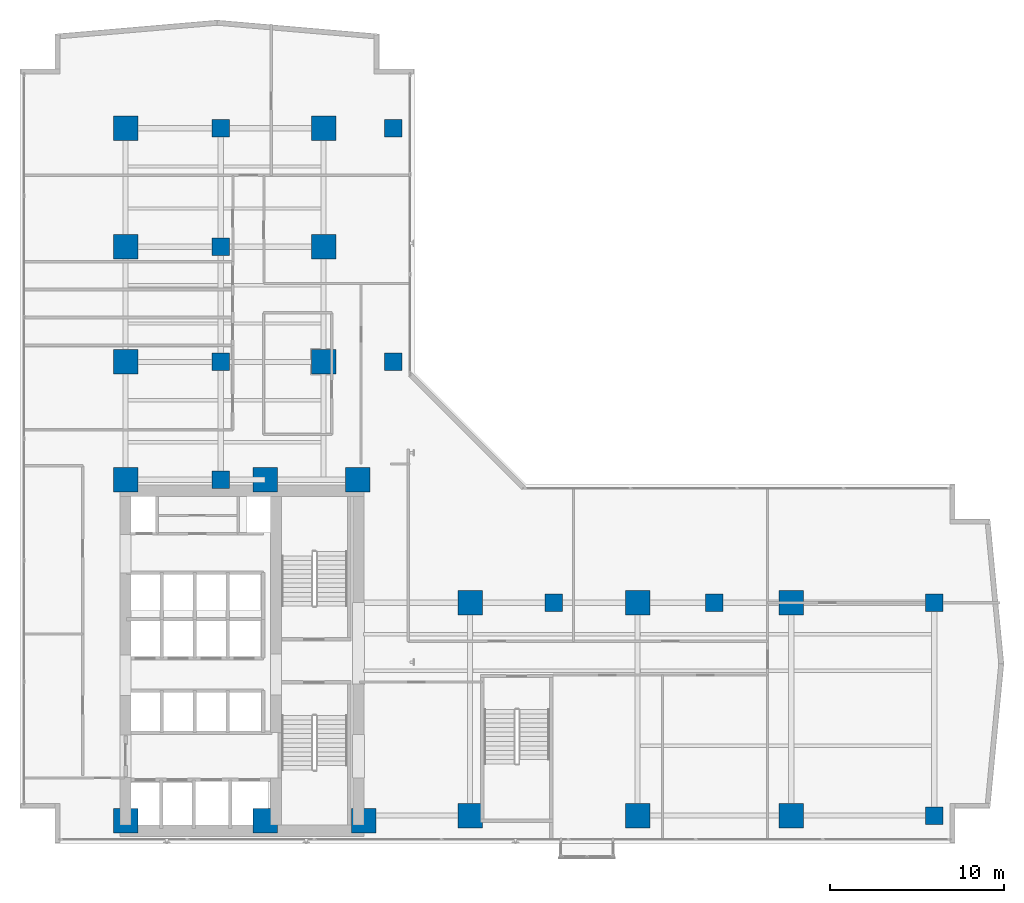
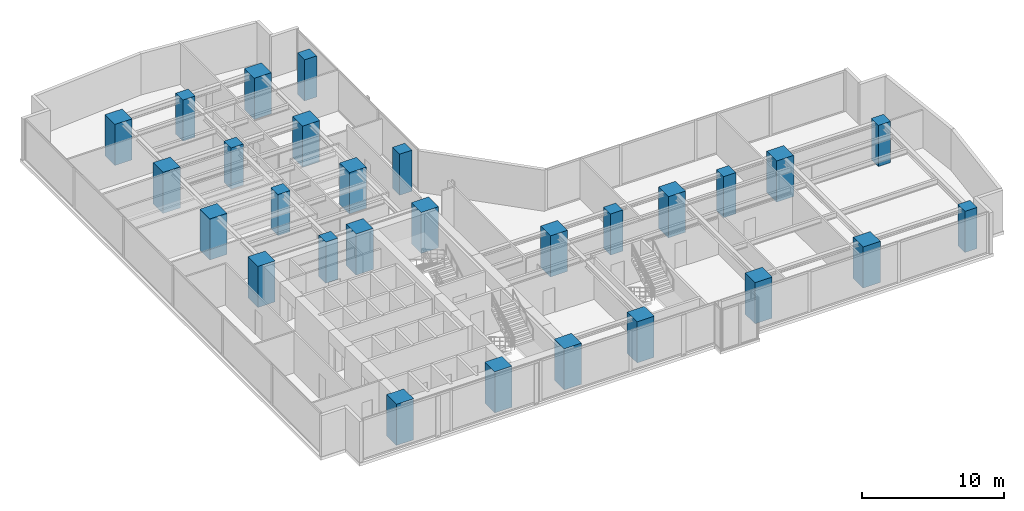
# One storey, part 1 of 28: 28 columns.
"""IFC4 building model written with IfcOpenShell, lengths in metres."""

from ifc_helpers import new_model, si_unit, direction, frame, origin, origin_2d, place, context, subcontext, project, spatial, rectangle, extrude, material, material_profile, profile_set, type_object, element, save


model = new_model("IFC4")

# Units and contexts
model_context = context("Model", 3, precision=1e-05, world=origin(), true_north=direction((0.0, 1.0)))
body_context = subcontext(model_context, "Body", "Model", "MODEL_VIEW")
ifc_project = project(units=[si_unit("LENGTHUNIT", "METRE"), si_unit("AREAUNIT", "SQUARE_METRE"), si_unit("VOLUMEUNIT", "CUBIC_METRE"), si_unit("PLANEANGLEUNIT", "RADIAN"), si_unit("MASSUNIT", "GRAM", prefix="KILO")], contexts=[model_context])

# Site, building, storey
site_placement = place(None, origin())
site = spatial("IfcSite", under=ifc_project, at=site_placement, CompositionType="ELEMENT")
building_placement = place(site_placement, origin())
building = spatial("IfcBuilding", under=site, at=building_placement, Name="Kolvaren Waterfront Exchange", CompositionType="ELEMENT")
storey_placement = place(building_placement, frame((0.0, 0.0, 114.5)))
storey = spatial("IfcBuildingStorey", under=building, at=storey_placement, Name="L29", CompositionType="ELEMENT", Elevation=114.5)

# Columns
ifc_material = material(Name="Concrete C60/75", Category="concrete")
ifc_material_profile_1 = material_profile(ifc_material, rectangle(XDim=1.0, YDim=1.0, at=origin_2d()), Name="RC-COL-1000x1000")
ifc_profile_set_1 = profile_set([ifc_material_profile_1], Name="Concrete C60/75")
column_type_1 = type_object("IfcColumnType", Name="STR-COL-1000-C60", PredefinedType="COLUMN", material=ifc_profile_set_1)
for number, where, z_axis, x_axis, name in (
    (1, (53.800048828125, 5.199951171875, 0.0), (0.0, 0.0, 1.0), (1.0, 0.0, 0.0), "L29 column ZC01"),
    (2, (53.800048828125, 17.39990234375, 0.0), (0.0, 0.0, 1.0), (1.0, 0.0, 0.0), "L29 column ZC02"),
    (3, (22.800048828125, 31.199951171875, 0.0), (0.0, 0.0, 1.0), (1.0, 0.0, 0.0), "L29 column ZC05"),
    (4, (22.800048828125, 44.60009765625, 0.0), (0.0, 0.0, 1.0), (1.0, 0.0, 0.0), "L29 column ZC06"),
    (5, (12.89990234375, 24.449951171875, 0.0), (0.0, 0.0, 1.0), (1.0, 0.0, 0.0), "L29 column TC01"),
    (6, (12.89990234375, 31.199951171875, 0.0), (0.0, 0.0, 1.0), (1.0, 0.0, 0.0), "L29 column TC02"),
    (7, (12.89990234375, 37.800048828125, 0.0), (0.0, 0.0, 1.0), (1.0, 0.0, 0.0), "L29 column TC03"),
    (8, (12.89990234375, 44.60009765625, 0.0), (0.0, 0.0, 1.0), (1.0, 0.0, 0.0), "L29 column TC04"),
    (9, (32.0, 17.39990234375, 0.0), (0.0, 0.0, 1.0), (1.0, 0.0, 0.0), "L29 column TC05"),
    (10, (41.199951171875, 17.39990234375, 0.0), (0.0, 0.0, 1.0), (1.0, 0.0, 0.0), "L29 column TC06"),
):
    element("IfcColumn", number, at=place(storey_placement, frame(where, z_axis=z_axis, x_axis=x_axis)), inside=storey, type_object=column_type_1, Name=name, PredefinedType="COLUMN", context=body_context, shape_type="SweptSolid", body=[
        extrude(rectangle(XDim=1.0, YDim=1.0, at=origin_2d()), origin(), (0.0, 0.0, 1.0), 3.5400390625),
    ])
ifc_material_profile_2 = material_profile(ifc_material, rectangle(XDim=1.39990234375, YDim=1.39990234375, at=origin_2d()), Name="RC-COL-1400x1400")
ifc_profile_set_2 = profile_set([ifc_material_profile_2], Name="Concrete C60/75")
column_type_2 = type_object("IfcColumnType", Name="STR-COL-1400-C60", PredefinedType="COLUMN", material=ifc_profile_set_2)
for number, where, z_axis, x_axis, name in (
    (11, (7.449951171875, 4.89990234375, 0.0), (0.0, 0.0, 1.0), (1.0, 0.0, 0.0), "L29 column MC01"),
    (12, (15.449951171875, 4.89990234375, 0.0), (0.0, 0.0, 1.0), (1.0, 0.0, 0.0), "L29 column MC02"),
    (13, (21.10009765625, 4.89990234375, 0.0), (0.0, 0.0, 1.0), (1.0, 0.0, 0.0), "L29 column MC03"),
    (14, (7.449951171875, 24.449951171875, 0.0), (0.0, 0.0, 1.0), (1.0, 0.0, 0.0), "L29 column MC04"),
    (15, (15.449951171875, 24.449951171875, 0.0), (0.0, 0.0, 1.0), (1.0, 0.0, 0.0), "L29 column MC05"),
    (16, (20.75, 24.449951171875, 0.0), (0.0, 0.0, 1.0), (1.0, 0.0, 0.0), "L29 column MC06"),
    (17, (7.449951171875, 31.199951171875, 0.0), (0.0, 0.0, 1.0), (1.0, 0.0, 0.0), "L29 column NC01"),
    (18, (7.449951171875, 37.800048828125, 0.0), (0.0, 0.0, 1.0), (1.0, 0.0, 0.0), "L29 column NC02"),
    (19, (7.449951171875, 44.60009765625, 0.0), (0.0, 0.0, 1.0), (1.0, 0.0, 0.0), "L29 column NC03"),
    (20, (18.800048828125, 31.199951171875, 0.0), (0.0, 0.0, 1.0), (1.0, 0.0, 0.0), "L29 column NC04"),
    (21, (18.800048828125, 37.800048828125, 0.0), (0.0, 0.0, 1.0), (1.0, 0.0, 0.0), "L29 column NC05"),
    (22, (18.800048828125, 44.60009765625, 0.0), (0.0, 0.0, 1.0), (1.0, 0.0, 0.0), "L29 column NC06"),
    (23, (27.199951171875, 5.199951171875, 0.0), (0.0, 0.0, 1.0), (1.0, 0.0, 0.0), "L29 column EC01"),
    (24, (36.800048828125, 5.199951171875, 0.0), (0.0, 0.0, 1.0), (1.0, 0.0, 0.0), "L29 column EC02"),
    (25, (45.60009765625, 5.199951171875, 0.0), (0.0, 0.0, 1.0), (1.0, 0.0, 0.0), "L29 column EC03"),
    (26, (27.199951171875, 17.39990234375, 0.0), (0.0, 0.0, 1.0), (1.0, 0.0, 0.0), "L29 column EC04"),
    (27, (36.800048828125, 17.39990234375, 0.0), (0.0, 0.0, 1.0), (1.0, 0.0, 0.0), "L29 column EC05"),
    (28, (45.60009765625, 17.39990234375, 0.0), (0.0, 0.0, 1.0), (1.0, 0.0, 0.0), "L29 column EC06"),
):
    element("IfcColumn", number, at=place(storey_placement, frame(where, z_axis=z_axis, x_axis=x_axis)), inside=storey, type_object=column_type_2, Name=name, PredefinedType="COLUMN", context=body_context, shape_type="SweptSolid", body=[
        extrude(rectangle(XDim=1.39990234375, YDim=1.39990234375, at=origin_2d()), origin(), (0.0, 0.0, 1.0), 3.5400390625),
    ])

save(model, "model.ifc")
